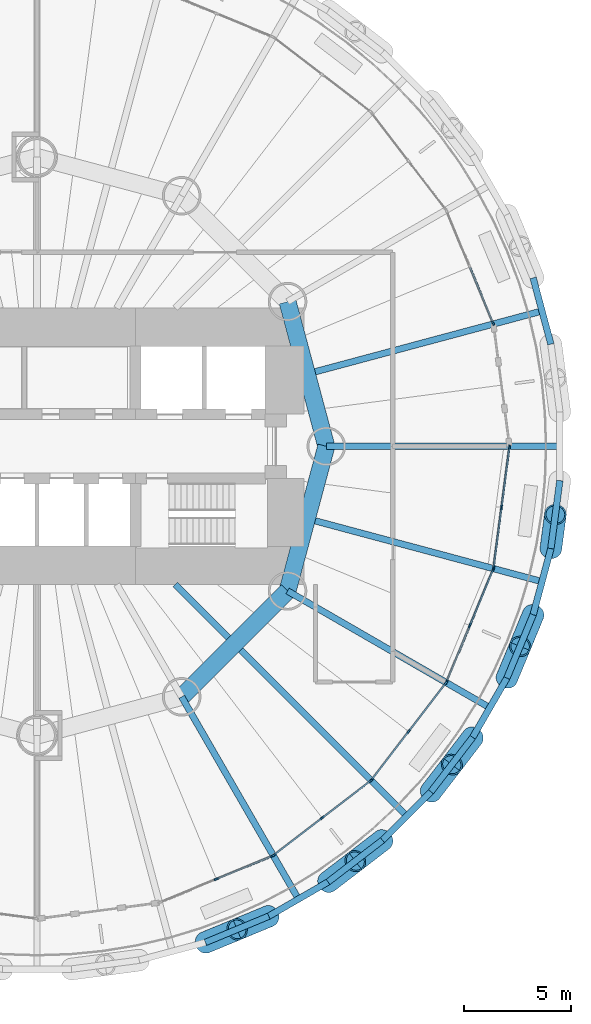
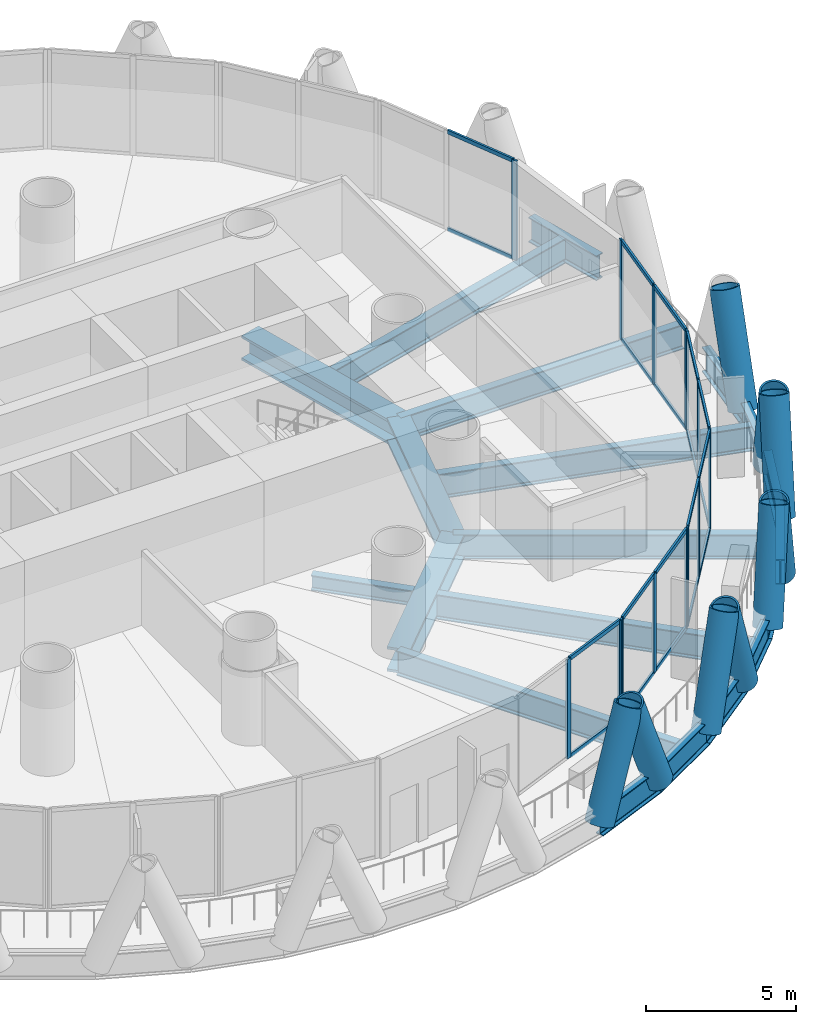
# One storey, part 4 of 16: 44 members, 20 beams, 6 elements without a shape of their own.
"""IFC4 building model written with IfcOpenShell, lengths in metres."""

from ifc_helpers import new_model, si_unit, direction, frame, origin, origin_2d, place, context, subcontext, project, spatial, rectangle, hollow_circle, i_section, extrude, material, material_profile, profile_set, type_object, element, aggregate, save


model = new_model("IFC4")

# Units and contexts
model_context = context("Model", 3, precision=1e-05, world=origin(), true_north=direction((0.0, 1.0)))
body_context = subcontext(model_context, "Body", "Model", "MODEL_VIEW")
ifc_project = project(units=[si_unit("LENGTHUNIT", "METRE"), si_unit("AREAUNIT", "SQUARE_METRE"), si_unit("VOLUMEUNIT", "CUBIC_METRE"), si_unit("PLANEANGLEUNIT", "RADIAN"), si_unit("MASSUNIT", "GRAM", prefix="KILO")], contexts=[model_context])

# Site, building, storey
site_placement = place(None, origin())
site = spatial("IfcSite", under=ifc_project, at=site_placement, CompositionType="ELEMENT")
building_placement = place(site_placement, origin())
building = spatial("IfcBuilding", under=site, at=building_placement, Name="Qaws Media Tower", CompositionType="ELEMENT")
storey_placement = place(building_placement, frame((0.0, 0.0, 181.39990234375)))
storey = spatial("IfcBuildingStorey", under=building, at=storey_placement, Name="L41", CompositionType="ELEMENT", Elevation=181.39990234375)

# Curtain wall, member
ifc_material_1 = material(Name="Aluminium and clear glass", Category="aluminium")
curtain_wall_type = type_object("IfcCurtainWallType", Name="Unitised curtain wall CW-B", PredefinedType="NOTDEFINED", material=ifc_material_1)
curtain_wall_1_placement = place(storey_placement, origin())
curtain_wall_1 = element("IfcCurtainWall", 1, at=curtain_wall_1_placement, inside=storey, type_object=curtain_wall_type, Name="CWB curtain wall L41-02", PredefinedType="NOTDEFINED")
ifc_material_2 = material(Name="Aluminium mullion", Category="aluminium")
ifc_material_profile_1 = material_profile(ifc_material_2, rectangle(XDim=0.080078125, YDim=0.199951171875, at=origin_2d()), Name="80x200")
ifc_profile_set_1 = profile_set([ifc_material_profile_1], Name="Aluminium mullion")
member_type_1 = type_object("IfcMemberType", Name="Curtain wall mullion 80x200", PredefinedType="MULLION", material=ifc_profile_set_1)
member_1_placement = place(storey_placement, frame((81.283447265625, 55.743896484375, 0.0), z_axis=(0.0, 0.0, 1.0), x_axis=(-0.923879550525, -0.382683388877, 0.0)))
member_1 = element("IfcMember", 2, at=member_1_placement, type_object=member_type_1, Name="CWB mullion 1", PredefinedType="MULLION", context=body_context, shape_type="SweptSolid", body=[
    extrude(rectangle(XDim=0.080078125, YDim=0.199951171875, at=origin_2d()), origin(), (0.0, 0.0, 1.0), 4.0400390625),
])

# Curtain wall, members
curtain_wall_2_placement = place(storey_placement, origin())
curtain_wall_2 = element("IfcCurtainWall", 3, at=curtain_wall_2_placement, inside=storey, type_object=curtain_wall_type, Name="CWB curtain wall L41-20", PredefinedType="NOTDEFINED")
member_2_placement = place(storey_placement, frame((68.365966796875, 29.802734375, 0.0), z_axis=(0.0, 0.0, 1.0), x_axis=(-0.382683388877, 0.923879550525, 0.0)))
member_2 = element("IfcMember", 4, at=member_2_placement, type_object=member_type_1, Name="CWB mullion 2", PredefinedType="MULLION", context=body_context, shape_type="SweptSolid", body=[
    extrude(rectangle(XDim=0.080078125, YDim=0.199951171875, at=origin_2d()), origin(), (0.0, 0.0, 1.0), 4.0400390625),
])
member_3_placement = place(storey_placement, frame((70.988037109375, 30.888916015625, 0.0), z_axis=(0.0, 0.0, 1.0), x_axis=(-0.382683388877, 0.923879550525, 0.0)))
member_3 = element("IfcMember", 5, at=member_3_placement, type_object=member_type_1, Name="CWB mullion 3", PredefinedType="MULLION", context=body_context, shape_type="SweptSolid", body=[
    extrude(rectangle(XDim=0.080078125, YDim=0.199951171875, at=origin_2d()), origin(), (0.0, 0.0, 1.0), 4.0400390625),
])

curtain_wall_3_placement = place(storey_placement, origin())
curtain_wall_3 = element("IfcCurtainWall", 6, at=curtain_wall_3_placement, inside=storey, type_object=curtain_wall_type, Name="CWB curtain wall L41-21", PredefinedType="NOTDEFINED")
member_4_placement = place(storey_placement, frame((71.056640625, 30.928466796875, 0.0), z_axis=(0.0, 0.0, 1.0), x_axis=(-0.608761320465, 0.79335342358, 0.0)))
member_4 = element("IfcMember", 7, at=member_4_placement, type_object=member_type_1, Name="CWB mullion 1", PredefinedType="MULLION", context=body_context, shape_type="SweptSolid", body=[
    extrude(rectangle(XDim=0.080078125, YDim=0.199951171875, at=origin_2d()), origin(), (0.0, 0.0, 1.0), 4.0400390625),
])
member_5_placement = place(storey_placement, frame((73.308349609375, 32.65625, 0.0), z_axis=(0.0, 0.0, 1.0), x_axis=(-0.608761320465, 0.79335342358, 0.0)))
member_5 = element("IfcMember", 8, at=member_5_placement, type_object=member_type_1, Name="CWB mullion 2", PredefinedType="MULLION", context=body_context, shape_type="SweptSolid", body=[
    extrude(rectangle(XDim=0.080078125, YDim=0.199951171875, at=origin_2d()), origin(), (0.0, 0.0, 1.0), 4.0400390625),
])
member_6_placement = place(storey_placement, frame((75.56005859375, 34.384033203125, 0.0), z_axis=(0.0, 0.0, 1.0), x_axis=(-0.608761320465, 0.79335342358, 0.0)))
member_6 = element("IfcMember", 9, at=member_6_placement, type_object=member_type_1, Name="CWB mullion 3", PredefinedType="MULLION", context=body_context, shape_type="SweptSolid", body=[
    extrude(rectangle(XDim=0.080078125, YDim=0.199951171875, at=origin_2d()), origin(), (0.0, 0.0, 1.0), 4.0400390625),
])

curtain_wall_4_placement = place(storey_placement, origin())
curtain_wall_4 = element("IfcCurtainWall", 10, at=curtain_wall_4_placement, inside=storey, type_object=curtain_wall_type, Name="CWB curtain wall L41-22", PredefinedType="NOTDEFINED")
member_7_placement = place(storey_placement, frame((75.615966796875, 34.43994140625, 0.0), z_axis=(0.0, 0.0, 1.0), x_axis=(-0.79335342358, 0.608761320465, 0.0)))
member_7 = element("IfcMember", 11, at=member_7_placement, type_object=member_type_1, Name="CWB mullion 1", PredefinedType="MULLION", context=body_context, shape_type="SweptSolid", body=[
    extrude(rectangle(XDim=0.080078125, YDim=0.199951171875, at=origin_2d()), origin(), (0.0, 0.0, 1.0), 4.0400390625),
])
member_8_placement = place(storey_placement, frame((77.34375, 36.691650390625, 0.0), z_axis=(0.0, 0.0, 1.0), x_axis=(-0.79335342358, 0.608761320465, 0.0)))
member_8 = element("IfcMember", 12, at=member_8_placement, type_object=member_type_1, Name="CWB mullion 2", PredefinedType="MULLION", context=body_context, shape_type="SweptSolid", body=[
    extrude(rectangle(XDim=0.080078125, YDim=0.199951171875, at=origin_2d()), origin(), (0.0, 0.0, 1.0), 4.0400390625),
])
member_9_placement = place(storey_placement, frame((79.071533203125, 38.943359375, 0.0), z_axis=(0.0, 0.0, 1.0), x_axis=(-0.79335342358, 0.608761320465, 0.0)))
member_9 = element("IfcMember", 13, at=member_9_placement, type_object=member_type_1, Name="CWB mullion 3", PredefinedType="MULLION", context=body_context, shape_type="SweptSolid", body=[
    extrude(rectangle(XDim=0.080078125, YDim=0.199951171875, at=origin_2d()), origin(), (0.0, 0.0, 1.0), 4.0400390625),
])

curtain_wall_5_placement = place(storey_placement, origin())
curtain_wall_5 = element("IfcCurtainWall", 14, at=curtain_wall_5_placement, inside=storey, type_object=curtain_wall_type, Name="CWB curtain wall L41-23", PredefinedType="NOTDEFINED")
member_10_placement = place(storey_placement, frame((79.111083984375, 39.011962890625, 0.0), z_axis=(0.0, 0.0, 1.0), x_axis=(-0.923879550525, 0.382683388877, 0.0)))
member_10 = element("IfcMember", 15, at=member_10_placement, type_object=member_type_1, Name="CWB mullion 1", PredefinedType="MULLION", context=body_context, shape_type="SweptSolid", body=[
    extrude(rectangle(XDim=0.080078125, YDim=0.199951171875, at=origin_2d()), origin(), (0.0, 0.0, 1.0), 4.0400390625),
])
member_11_placement = place(storey_placement, frame((80.197265625, 41.634033203125, 0.0), z_axis=(0.0, 0.0, 1.0), x_axis=(-0.923879550525, 0.382683388877, 0.0)))
member_11 = element("IfcMember", 16, at=member_11_placement, type_object=member_type_1, Name="CWB mullion 2", PredefinedType="MULLION", context=body_context, shape_type="SweptSolid", body=[
    extrude(rectangle(XDim=0.080078125, YDim=0.199951171875, at=origin_2d()), origin(), (0.0, 0.0, 1.0), 4.0400390625),
])
member_12_placement = place(storey_placement, frame((81.283447265625, 44.256103515625, 0.0), z_axis=(0.0, 0.0, 1.0), x_axis=(-0.923879550525, 0.382683388877, 0.0)))
member_12 = element("IfcMember", 17, at=member_12_placement, type_object=member_type_1, Name="CWB mullion 3", PredefinedType="MULLION", context=body_context, shape_type="SweptSolid", body=[
    extrude(rectangle(XDim=0.080078125, YDim=0.199951171875, at=origin_2d()), origin(), (0.0, 0.0, 1.0), 4.0400390625),
])

curtain_wall_6_placement = place(storey_placement, origin())
curtain_wall_6 = element("IfcCurtainWall", 18, at=curtain_wall_6_placement, inside=storey, type_object=curtain_wall_type, Name="CWB curtain wall L41-24", PredefinedType="NOTDEFINED")
member_13_placement = place(storey_placement, frame((81.303955078125, 44.332763671875, 0.0), z_axis=(0.0, 0.0, 1.0), x_axis=(-0.991444850979, 0.130526271178, 0.0)))
member_13 = element("IfcMember", 19, at=member_13_placement, type_object=member_type_1, Name="CWB mullion 1", PredefinedType="MULLION", context=body_context, shape_type="SweptSolid", body=[
    extrude(rectangle(XDim=0.080078125, YDim=0.199951171875, at=origin_2d()), origin(), (0.0, 0.0, 1.0), 4.0400390625),
])
member_14_placement = place(storey_placement, frame((81.67431640625, 47.146484375, 0.0), z_axis=(0.0, 0.0, 1.0), x_axis=(-0.991444850979, 0.130526271178, 0.0)))
member_14 = element("IfcMember", 20, at=member_14_placement, type_object=member_type_1, Name="CWB mullion 2", PredefinedType="MULLION", context=body_context, shape_type="SweptSolid", body=[
    extrude(rectangle(XDim=0.080078125, YDim=0.199951171875, at=origin_2d()), origin(), (0.0, 0.0, 1.0), 4.0400390625),
])
member_15_placement = place(storey_placement, frame((82.044677734375, 49.96044921875, 0.0), z_axis=(0.0, 0.0, 1.0), x_axis=(-0.991444850979, 0.130526271178, 0.0)))
member_15 = element("IfcMember", 21, at=member_15_placement, type_object=member_type_1, Name="CWB mullion 3", PredefinedType="MULLION", context=body_context, shape_type="SweptSolid", body=[
    extrude(rectangle(XDim=0.080078125, YDim=0.199951171875, at=origin_2d()), origin(), (0.0, 0.0, 1.0), 4.0400390625),
])

# Member
ifc_material_3 = material(Name="Aluminium transom", Category="aluminium")
ifc_material_profile_2 = material_profile(ifc_material_3, rectangle(XDim=0.080078125, YDim=0.159912109375, at=origin_2d()), Name="80x160")
ifc_profile_set_2 = profile_set([ifc_material_profile_2], Name="Aluminium transom")
member_type_2 = type_object("IfcMemberType", Name="Curtain wall transom 80x160", PredefinedType="USERDEFINED", material=ifc_profile_set_2)
member_16_placement = place(storey_placement, frame((81.26806640625, 55.78076171875, 0.0400390625), z_axis=(-0.382641035771, 0.923897092616, 0.0), x_axis=(-0.923897092616, -0.382641035771, 0.0)))
member_16 = element("IfcMember", 22, at=member_16_placement, type_object=member_type_2, Name="CWB transom 1.1", ObjectType="TRANSOM", PredefinedType="USERDEFINED", context=body_context, shape_type="SweptSolid", body=[
    extrude(rectangle(XDim=0.080078125, YDim=0.159912109375, at=origin_2d()), origin(), (0.0, 0.0, 1.0), 2.75830078125),
])

member_17_placement = place(storey_placement, frame((81.26806640625, 55.78076171875, 4.0), z_axis=(-0.382641035771, 0.923897092616, 0.0), x_axis=(-0.923897092616, -0.382641035771, 0.0)))
member_17 = element("IfcMember", 23, at=member_17_placement, type_object=member_type_2, Name="CWB transom 1.2", ObjectType="TRANSOM", PredefinedType="USERDEFINED", context=body_context, shape_type="SweptSolid", body=[
    extrude(rectangle(XDim=0.080078125, YDim=0.159912109375, at=origin_2d()), origin(), (0.0, 0.0, 1.0), 2.75830078125),
])

aggregate(curtain_wall_1, [member_1, member_16, member_17])

member_18_placement = place(storey_placement, frame((68.40283203125, 29.818115234375, 0.0400390625), z_axis=(0.923897092616, 0.382641035771, 0.0), x_axis=(-0.382641035771, 0.923897092616, 0.0)))
member_18 = element("IfcMember", 24, at=member_18_placement, type_object=member_type_2, Name="CWB transom 2.1", ObjectType="TRANSOM", PredefinedType="USERDEFINED", context=body_context, shape_type="SweptSolid", body=[
    extrude(rectangle(XDim=0.080078125, YDim=0.159912109375, at=origin_2d()), origin(), (0.0, 0.0, 1.0), 2.75830078125),
])

member_19_placement = place(storey_placement, frame((68.40283203125, 29.818115234375, 4.0), z_axis=(0.923897092616, 0.382641035771, 0.0), x_axis=(-0.382641035771, 0.923897092616, 0.0)))
member_19 = element("IfcMember", 25, at=member_19_placement, type_object=member_type_2, Name="CWB transom 2.2", ObjectType="TRANSOM", PredefinedType="USERDEFINED", context=body_context, shape_type="SweptSolid", body=[
    extrude(rectangle(XDim=0.080078125, YDim=0.159912109375, at=origin_2d()), origin(), (0.0, 0.0, 1.0), 2.75830078125),
])

aggregate(curtain_wall_2, [member_2, member_3, member_18, member_19])

member_20_placement = place(storey_placement, frame((71.08837890625, 30.952880859375, 0.0400390625), z_axis=(0.793376929066, 0.608730686286, 0.0), x_axis=(-0.608730686286, 0.793376929066, 0.0)))
member_20 = element("IfcMember", 26, at=member_20_placement, type_object=member_type_2, Name="CWB transom 1.1", ObjectType="TRANSOM", PredefinedType="USERDEFINED", context=body_context, shape_type="SweptSolid", body=[
    extrude(rectangle(XDim=0.080078125, YDim=0.159912109375, at=origin_2d()), origin(), (0.0, 0.0, 1.0), 2.758056640625),
])

member_21_placement = place(storey_placement, frame((71.08837890625, 30.952880859375, 4.0), z_axis=(0.793376929066, 0.608730686286, 0.0), x_axis=(-0.608730686286, 0.793376929066, 0.0)))
member_21 = element("IfcMember", 27, at=member_21_placement, type_object=member_type_2, Name="CWB transom 1.2", ObjectType="TRANSOM", PredefinedType="USERDEFINED", context=body_context, shape_type="SweptSolid", body=[
    extrude(rectangle(XDim=0.080078125, YDim=0.159912109375, at=origin_2d()), origin(), (0.0, 0.0, 1.0), 2.758056640625),
])

member_22_placement = place(storey_placement, frame((73.340087890625, 32.6806640625, 0.0400390625), z_axis=(0.793376929066, 0.608730686286, 0.0), x_axis=(-0.608730686286, 0.793376929066, 0.0)))
member_22 = element("IfcMember", 28, at=member_22_placement, type_object=member_type_2, Name="CWB transom 2.1", ObjectType="TRANSOM", PredefinedType="USERDEFINED", context=body_context, shape_type="SweptSolid", body=[
    extrude(rectangle(XDim=0.080078125, YDim=0.159912109375, at=origin_2d()), origin(), (0.0, 0.0, 1.0), 2.758056640625),
])

member_23_placement = place(storey_placement, frame((73.340087890625, 32.6806640625, 4.0), z_axis=(0.793376929066, 0.608730686286, 0.0), x_axis=(-0.608730686286, 0.793376929066, 0.0)))
member_23 = element("IfcMember", 29, at=member_23_placement, type_object=member_type_2, Name="CWB transom 2.2", ObjectType="TRANSOM", PredefinedType="USERDEFINED", context=body_context, shape_type="SweptSolid", body=[
    extrude(rectangle(XDim=0.080078125, YDim=0.159912109375, at=origin_2d()), origin(), (0.0, 0.0, 1.0), 2.758056640625),
])

aggregate(curtain_wall_3, [member_4, member_5, member_6, member_20, member_21, member_22, member_23])

member_24_placement = place(storey_placement, frame((75.640380859375, 34.4716796875, 0.0400390625), z_axis=(0.608730686286, 0.793376929066, 0.0), x_axis=(-0.793376929066, 0.608730686286, 0.0)))
member_24 = element("IfcMember", 30, at=member_24_placement, type_object=member_type_2, Name="CWB transom 1.1", ObjectType="TRANSOM", PredefinedType="USERDEFINED", context=body_context, shape_type="SweptSolid", body=[
    extrude(rectangle(XDim=0.080078125, YDim=0.159912109375, at=origin_2d()), origin(), (0.0, 0.0, 1.0), 2.758056640625),
])

member_25_placement = place(storey_placement, frame((75.640380859375, 34.4716796875, 4.0), z_axis=(0.608730686286, 0.793376929066, 0.0), x_axis=(-0.793376929066, 0.608730686286, 0.0)))
member_25 = element("IfcMember", 31, at=member_25_placement, type_object=member_type_2, Name="CWB transom 1.2", ObjectType="TRANSOM", PredefinedType="USERDEFINED", context=body_context, shape_type="SweptSolid", body=[
    extrude(rectangle(XDim=0.080078125, YDim=0.159912109375, at=origin_2d()), origin(), (0.0, 0.0, 1.0), 2.758056640625),
])

member_26_placement = place(storey_placement, frame((77.3681640625, 36.723388671875, 0.0400390625), z_axis=(0.608730686286, 0.793376929066, 0.0), x_axis=(-0.793376929066, 0.608730686286, 0.0)))
member_26 = element("IfcMember", 32, at=member_26_placement, type_object=member_type_2, Name="CWB transom 2.1", ObjectType="TRANSOM", PredefinedType="USERDEFINED", context=body_context, shape_type="SweptSolid", body=[
    extrude(rectangle(XDim=0.080078125, YDim=0.159912109375, at=origin_2d()), origin(), (0.0, 0.0, 1.0), 2.758056640625),
])

member_27_placement = place(storey_placement, frame((77.3681640625, 36.723388671875, 4.0), z_axis=(0.608730686286, 0.793376929066, 0.0), x_axis=(-0.793376929066, 0.608730686286, 0.0)))
member_27 = element("IfcMember", 33, at=member_27_placement, type_object=member_type_2, Name="CWB transom 2.2", ObjectType="TRANSOM", PredefinedType="USERDEFINED", context=body_context, shape_type="SweptSolid", body=[
    extrude(rectangle(XDim=0.080078125, YDim=0.159912109375, at=origin_2d()), origin(), (0.0, 0.0, 1.0), 2.758056640625),
])

aggregate(curtain_wall_4, [member_7, member_8, member_9, member_24, member_25, member_26, member_27])

member_28_placement = place(storey_placement, frame((79.12646484375, 39.048828125, 0.0400390625), z_axis=(0.382641035771, 0.923897092616, 0.0), x_axis=(-0.923897092616, 0.382641035771, 0.0)))
member_28 = element("IfcMember", 34, at=member_28_placement, type_object=member_type_2, Name="CWB transom 1.1", ObjectType="TRANSOM", PredefinedType="USERDEFINED", context=body_context, shape_type="SweptSolid", body=[
    extrude(rectangle(XDim=0.080078125, YDim=0.159912109375, at=origin_2d()), origin(), (0.0, 0.0, 1.0), 2.75830078125),
])

member_29_placement = place(storey_placement, frame((79.12646484375, 39.048828125, 4.0), z_axis=(0.382641035771, 0.923897092616, 0.0), x_axis=(-0.923897092616, 0.382641035771, 0.0)))
member_29 = element("IfcMember", 35, at=member_29_placement, type_object=member_type_2, Name="CWB transom 1.2", ObjectType="TRANSOM", PredefinedType="USERDEFINED", context=body_context, shape_type="SweptSolid", body=[
    extrude(rectangle(XDim=0.080078125, YDim=0.159912109375, at=origin_2d()), origin(), (0.0, 0.0, 1.0), 2.75830078125),
])

member_30_placement = place(storey_placement, frame((80.212646484375, 41.6708984375, 0.0400390625), z_axis=(0.382641035771, 0.923897092616, 0.0), x_axis=(-0.923897092616, 0.382641035771, 0.0)))
member_30 = element("IfcMember", 36, at=member_30_placement, type_object=member_type_2, Name="CWB transom 2.1", ObjectType="TRANSOM", PredefinedType="USERDEFINED", context=body_context, shape_type="SweptSolid", body=[
    extrude(rectangle(XDim=0.080078125, YDim=0.159912109375, at=origin_2d()), origin(), (0.0, 0.0, 1.0), 2.75830078125),
])

member_31_placement = place(storey_placement, frame((80.212646484375, 41.6708984375, 4.0), z_axis=(0.382641035771, 0.923897092616, 0.0), x_axis=(-0.923897092616, 0.382641035771, 0.0)))
member_31 = element("IfcMember", 37, at=member_31_placement, type_object=member_type_2, Name="CWB transom 2.2", ObjectType="TRANSOM", PredefinedType="USERDEFINED", context=body_context, shape_type="SweptSolid", body=[
    extrude(rectangle(XDim=0.080078125, YDim=0.159912109375, at=origin_2d()), origin(), (0.0, 0.0, 1.0), 2.75830078125),
])

aggregate(curtain_wall_5, [member_10, member_11, member_12, member_28, member_29, member_30, member_31])

member_32_placement = place(storey_placement, frame((81.30908203125, 44.372314453125, 0.0400390625), z_axis=(0.130557546748, 0.991440732967, 0.0), x_axis=(-0.991440732967, 0.130557546748, 0.0)))
member_32 = element("IfcMember", 38, at=member_32_placement, type_object=member_type_2, Name="CWB transom 1.1", ObjectType="TRANSOM", PredefinedType="USERDEFINED", context=body_context, shape_type="SweptSolid", body=[
    extrude(rectangle(XDim=0.080078125, YDim=0.159912109375, at=origin_2d()), origin(), (0.0, 0.0, 1.0), 2.75830078125),
])

member_33_placement = place(storey_placement, frame((81.30908203125, 44.372314453125, 4.0), z_axis=(0.130557546748, 0.991440732967, 0.0), x_axis=(-0.991440732967, 0.130557546748, 0.0)))
member_33 = element("IfcMember", 39, at=member_33_placement, type_object=member_type_2, Name="CWB transom 1.2", ObjectType="TRANSOM", PredefinedType="USERDEFINED", context=body_context, shape_type="SweptSolid", body=[
    extrude(rectangle(XDim=0.080078125, YDim=0.159912109375, at=origin_2d()), origin(), (0.0, 0.0, 1.0), 2.75830078125),
])

member_34_placement = place(storey_placement, frame((81.679443359375, 47.186279296875, 0.0400390625), z_axis=(0.13056900495, 0.991439224031, 0.0), x_axis=(-0.991439224031, 0.13056900495, 0.0)))
member_34 = element("IfcMember", 40, at=member_34_placement, type_object=member_type_2, Name="CWB transom 2.1", ObjectType="TRANSOM", PredefinedType="USERDEFINED", context=body_context, shape_type="SweptSolid", body=[
    extrude(rectangle(XDim=0.080078125, YDim=0.159912109375, at=origin_2d()), origin(), (0.0, 0.0, 1.0), 2.758056640625),
])

member_35_placement = place(storey_placement, frame((81.679443359375, 47.186279296875, 4.0), z_axis=(0.13056900495, 0.991439224031, 0.0), x_axis=(-0.991439224031, 0.13056900495, 0.0)))
member_35 = element("IfcMember", 41, at=member_35_placement, type_object=member_type_2, Name="CWB transom 2.2", ObjectType="TRANSOM", PredefinedType="USERDEFINED", context=body_context, shape_type="SweptSolid", body=[
    extrude(rectangle(XDim=0.080078125, YDim=0.159912109375, at=origin_2d()), origin(), (0.0, 0.0, 1.0), 2.758056640625),
])

aggregate(curtain_wall_6, [member_13, member_14, member_15, member_32, member_33, member_34, member_35])

# Members
ifc_material_4 = material(Name="Steel S460", Category="steel")
ifc_material_profile_3 = material_profile(ifc_material_4, hollow_circle(Radius=0.508056640625, WallThickness=0.070068359375, at=origin_2d()), Name="CHS 1016x70")
ifc_profile_set_3 = profile_set([ifc_material_profile_3], Name="Steel S460")
member_type_3 = type_object("IfcMemberType", Name="Diagrid member CHS 1016x70", PredefinedType="USERDEFINED", material=ifc_profile_set_3)
for number, where, z_axis, x_axis, name in (
    (42, (67.859130859375, 26.84765625, -0.663818359375), (0.346608267327, 0.142936555494, 0.927055473057), (-0.3812412175, 0.924475599504, 0.0), "DG3 diagrid L41 A20"),
    (43, (73.583740234375, 29.670654296875, -0.663818359375), (0.29778205683, 0.22777293428, 0.927062747089), (-0.60754645004, 0.794284150065, 0.0), "DG3 diagrid L41 A21"),
):
    element("IfcMember", number, at=place(storey_placement, frame(where, z_axis=z_axis, x_axis=x_axis)), inside=storey, type_object=member_type_3, Name=name, ObjectType="DIAGRID", PredefinedType="USERDEFINED", context=body_context, shape_type="SweptSolid", body=[
        extrude(hollow_circle(Radius=0.508056640625, WallThickness=0.070068359375, at=origin_2d()), origin(), (0.0, 0.0, 1.0), 4.264892578125),
    ])
for number, where, z_axis, x_axis, name in (
    (44, (70.81396484375, 28.071533203125, -0.663818359375), (-0.346201593662, -0.144021694718, 0.927039485673), (0.384095011554, -0.923293573084, 0.0), "DG3 diagrid L41 B21"),
    (45, (78.382568359375, 33.87890625, -0.663818359375), (0.2286838659, 0.297145919371, 0.92704260532), (-0.792482086019, 0.609895190454, 0.0), "DG3 diagrid L41 A22"),
    (46, (76.12109375, 31.617431640625, -0.663818359375), (-0.297145919371, -0.2286838659, 0.92704260532), (0.609895190454, -0.792482086019, 0.0), "DG3 diagrid L41 B22"),
    (47, (81.928466796875, 39.18603515625, -0.663818359375), (0.144021694718, 0.346201593662, 0.927039485673), (-0.923293573084, 0.384095011554, 0.0), "DG3 diagrid L41 A23"),
):
    element("IfcMember", number, at=place(storey_placement, frame(where, z_axis=z_axis, x_axis=x_axis)), inside=storey, type_object=member_type_3, Name=name, ObjectType="DIAGRID", PredefinedType="USERDEFINED", context=body_context, shape_type="SweptSolid", body=[
        extrude(hollow_circle(Radius=0.508056640625, WallThickness=0.070068359375, at=origin_2d()), origin(), (0.0, 0.0, 1.0), 4.26513671875),
    ])
member_36_placement = place(storey_placement, frame((80.329345703125, 36.416259765625, -0.663818359375), z_axis=(-0.22777293428, -0.29778205683, 0.927062747089), x_axis=(0.794284150065, -0.60754645004, 0.0)))
element("IfcMember", 48, at=member_36_placement, inside=storey, type_object=member_type_3, Name="DG3 diagrid L41 B23", ObjectType="DIAGRID", PredefinedType="USERDEFINED", context=body_context, shape_type="SweptSolid", body=[
    extrude(hollow_circle(Radius=0.508056640625, WallThickness=0.070068359375, at=origin_2d()), origin(), (0.0, 0.0, 1.0), 4.264892578125),
])
member_37_placement = place(storey_placement, frame((83.980224609375, 45.22998046875, -0.663818359375), z_axis=(0.049457614825, 0.371676265111, 0.927044064912), x_axis=(-0.991262533176, 0.131903716104, 0.0)))
element("IfcMember", 49, at=member_37_placement, inside=storey, type_object=member_type_3, Name="DG3 diagrid L41 A24", ObjectType="DIAGRID", PredefinedType="USERDEFINED", context=body_context, shape_type="SweptSolid", body=[
    extrude(hollow_circle(Radius=0.508056640625, WallThickness=0.070068359375, at=origin_2d()), origin(), (0.0, 0.0, 1.0), 4.26513671875),
])
member_38_placement = place(storey_placement, frame((83.15234375, 42.140869140625, -0.663818359375), z_axis=(-0.142936555494, -0.346608267327, 0.927055473057), x_axis=(0.924475599504, -0.3812412175, 0.0)))
element("IfcMember", 50, at=member_38_placement, inside=storey, type_object=member_type_3, Name="DG3 diagrid L41 B24", ObjectType="DIAGRID", PredefinedType="USERDEFINED", context=body_context, shape_type="SweptSolid", body=[
    extrude(hollow_circle(Radius=0.508056640625, WallThickness=0.070068359375, at=origin_2d()), origin(), (0.0, 0.0, 1.0), 4.264892578125),
])

# Beams
ifc_material_5 = material(Name="Steel S460", Category="steel")
ifc_material_profile_4 = material_profile(ifc_material_5, i_section(OverallWidth=0.302001953125, OverallDepth=1.008056640625, WebThickness=0.02099609375, FlangeThickness=0.0400390625, FilletRadius=0.030029296875, at=origin_2d()), Name="HE 1000 M")
ifc_profile_set_4 = profile_set([ifc_material_profile_4], Name="Steel S460")
beam_type_1 = type_object("IfcBeamType", Name="Edge ring beam HE 1000 M", PredefinedType="BEAM", material=ifc_profile_set_4)
for number, where, z_axis, x_axis, name in (
    (51, (83.980224609375, 54.77001953125, -0.663818359375), (-0.258864548189, 0.965913632625, 0.0), (-0.965913632625, -0.258864548189, 0.0), "RB3 edge ring beam L41-02"),
    (52, (67.859130859375, 26.84765625, -0.663818359375), (0.923885651932, 0.382668658443, 0.0), (-0.382668658443, 0.923885651932, 0.0), "RB3 edge ring beam L41-39"),
    (53, (70.81396484375, 28.071533203125, -0.663818359375), (0.866026686418, 0.499997778408, 0.0), (-0.499997778408, 0.866026686418, 0.0), "RB3 edge ring beam L41-40"),
    (54, (73.583740234375, 29.670654296875, -0.663818359375), (0.793383917565, 0.608721577857, 0.0), (-0.608721577857, 0.793383917565, 0.0), "RB3 edge ring beam L41-41"),
    (55, (76.12109375, 31.617431640625, -0.663818359375), (0.707106781187, 0.707106781187, 0.0), (-0.707106781187, 0.707106781187, 0.0), "RB3 edge ring beam L41-42"),
    (56, (78.382568359375, 33.87890625, -0.663818359375), (0.608721577857, 0.793383917565, 0.0), (-0.793383917565, 0.608721577857, 0.0), "RB3 edge ring beam L41-43"),
    (57, (80.329345703125, 36.416259765625, -0.663818359375), (0.499997778408, 0.866026686418, 0.0), (-0.866026686418, 0.499997778408, 0.0), "RB3 edge ring beam L41-44"),
    (58, (81.928466796875, 39.18603515625, -0.663818359375), (0.382668658443, 0.923885651932, 0.0), (-0.923885651932, 0.382668658443, 0.0), "RB3 edge ring beam L41-45"),
    (59, (83.15234375, 42.140869140625, -0.663818359375), (0.258864548189, 0.965913632625, 0.0), (-0.965913632625, 0.258864548189, 0.0), "RB3 edge ring beam L41-46"),
    (60, (83.980224609375, 45.22998046875, -0.663818359375), (0.130533497709, 0.991443899561, 0.0), (-0.991443899561, 0.130533497709, 0.0), "RB3 edge ring beam L41-47"),
):
    element("IfcBeam", number, at=place(storey_placement, frame(where, z_axis=z_axis, x_axis=x_axis)), inside=storey, type_object=beam_type_1, Name=name, PredefinedType="BEAM", context=body_context, shape_type="SweptSolid", body=[
        extrude(i_section(OverallWidth=0.302001953125, OverallDepth=1.008056640625, WebThickness=0.02099609375, FlangeThickness=0.0400390625, FilletRadius=0.030029296875, at=origin_2d()), origin(), (0.0, 0.0, 1.0), 3.1982421875),
    ])
ifc_material_6 = material(Name="Steel S460", Category="steel")
ifc_material_profile_5 = material_profile(ifc_material_6, i_section(OverallWidth=0.800048828125, OverallDepth=1.0, WebThickness=0.0400390625, FlangeThickness=0.10009765625, at=origin_2d()), Name="PG 1000x800")
ifc_profile_set_5 = profile_set([ifc_material_profile_5], Name="Steel S460")
beam_type_2 = type_object("IfcBeamType", Name="Inner ring girder PG 1000x800", PredefinedType="BEAM", material=ifc_profile_set_5)
beam_1_placement = place(storey_placement, frame((73.5, 50.0, -0.659912109375), z_axis=(-0.258810593767, 0.965928090778, 0.0), x_axis=(-0.965928090778, -0.258810593767, 0.0)))
element("IfcBeam", 61, at=beam_1_placement, inside=storey, type_object=beam_type_2, Name="B3 inner ring beam L41 I01-I02", PredefinedType="BEAM", context=body_context, shape_type="SweptSolid", body=[
    extrude(i_section(OverallWidth=0.800048828125, OverallDepth=1.0, WebThickness=0.0400390625, FlangeThickness=0.10009765625, at=origin_2d()), origin(), (0.0, 0.0, 1.0), 6.988037109375),
])
beam_2_placement = place(storey_placement, frame((66.75, 38.30859375, -0.659912109375), z_axis=(0.707106781187, 0.707106781187, 0.0), x_axis=(-0.707106781187, 0.707106781187, 0.0)))
element("IfcBeam", 62, at=beam_2_placement, inside=storey, type_object=beam_type_2, Name="B3 inner ring beam L41 I11-I12", PredefinedType="BEAM", context=body_context, shape_type="SweptSolid", body=[
    extrude(i_section(OverallWidth=0.800048828125, OverallDepth=1.0, WebThickness=0.0400390625, FlangeThickness=0.10009765625, at=origin_2d()), origin(), (0.0, 0.0, 1.0), 6.98828125),
])
beam_3_placement = place(storey_placement, frame((71.69140625, 43.25, -0.659912109375), z_axis=(0.258810593767, 0.965928090778, 0.0), x_axis=(-0.965928090778, 0.258810593767, 0.0)))
element("IfcBeam", 63, at=beam_3_placement, inside=storey, type_object=beam_type_2, Name="B3 inner ring beam L41 I12-I01", PredefinedType="BEAM", context=body_context, shape_type="SweptSolid", body=[
    extrude(i_section(OverallWidth=0.800048828125, OverallDepth=1.0, WebThickness=0.0400390625, FlangeThickness=0.10009765625, at=origin_2d()), origin(), (0.0, 0.0, 1.0), 6.988037109375),
])
ifc_material_7 = material(Name="Steel S355", Category="steel")
ifc_material_profile_6 = material_profile(ifc_material_7, i_section(OverallWidth=0.302001953125, OverallDepth=1.008056640625, WebThickness=0.02099609375, FlangeThickness=0.0400390625, FilletRadius=0.030029296875, at=origin_2d()), Name="HE 1000 M")
ifc_profile_set_6 = profile_set([ifc_material_profile_6], Name="Steel S355")
beam_type_3 = type_object("IfcBeamType", Name="Radial beam HE 1000 M", PredefinedType="BEAM", material=ifc_profile_set_6)
beam_4_placement = place(storey_placement, frame((73.5, 50.0, -0.663818359375), z_axis=(1.0, 0.0, 0.0), x_axis=(0.0, 1.0, 0.0)))
element("IfcBeam", 64, at=beam_4_placement, inside=storey, type_object=beam_type_3, Name="B1 radial beam L41 01", PredefinedType="BEAM", context=body_context, shape_type="SweptSolid", body=[
    extrude(i_section(OverallWidth=0.302001953125, OverallDepth=1.008056640625, WebThickness=0.02099609375, FlangeThickness=0.0400390625, FilletRadius=0.030029296875, at=origin_2d()), origin(), (0.0, 0.0, 1.0), 10.897705078125),
])
beam_5_placement = place(storey_placement, frame((72.98193359375, 53.478515625, -0.663818359375), z_axis=(0.965923984208, 0.258825919743, 0.0), x_axis=(-0.258825919743, 0.965923984208, 0.0)))
element("IfcBeam", 65, at=beam_5_placement, inside=storey, type_object=beam_type_3, Name="B1 radial beam L41 02", PredefinedType="BEAM", context=body_context, shape_type="SweptSolid", body=[
    extrude(i_section(OverallWidth=0.302001953125, OverallDepth=1.008056640625, WebThickness=0.02099609375, FlangeThickness=0.0400390625, FilletRadius=0.030029296875, at=origin_2d()), origin(), (0.0, 0.0, 1.0), 10.957763671875),
])
beam_6_placement = place(storey_placement, frame((66.75, 38.30859375, -0.663818359375), z_axis=(0.49999912617, -0.86602590829, 0.0), x_axis=(0.86602590829, 0.49999912617, 0.0)))
element("IfcBeam", 66, at=beam_6_placement, inside=storey, type_object=beam_type_3, Name="B1 radial beam L41 21", PredefinedType="BEAM", context=body_context, shape_type="SweptSolid", body=[
    extrude(i_section(OverallWidth=0.302001953125, OverallDepth=1.008056640625, WebThickness=0.02099609375, FlangeThickness=0.0400390625, FilletRadius=0.030029296875, at=origin_2d()), origin(), (0.0, 0.0, 1.0), 10.8974609375),
])
beam_7_placement = place(storey_placement, frame((69.50341796875, 40.49658203125, -0.663818359375), z_axis=(0.707106781187, -0.707106781187, 0.0), x_axis=(0.707106781187, 0.707106781187, 0.0)))
element("IfcBeam", 67, at=beam_7_placement, inside=storey, type_object=beam_type_3, Name="B1 radial beam L41 22", PredefinedType="BEAM", context=body_context, shape_type="SweptSolid", body=[
    extrude(i_section(OverallWidth=0.302001953125, OverallDepth=1.008056640625, WebThickness=0.02099609375, FlangeThickness=0.0400390625, FilletRadius=0.030029296875, at=origin_2d()), origin(), (0.0, 0.0, 1.0), 10.957763671875),
])
beam_8_placement = place(storey_placement, frame((71.69140625, 43.25, -0.663818359375), z_axis=(0.86602590829, -0.49999912617, 0.0), x_axis=(0.49999912617, 0.86602590829, 0.0)))
element("IfcBeam", 68, at=beam_8_placement, inside=storey, type_object=beam_type_3, Name="B1 radial beam L41 23", PredefinedType="BEAM", context=body_context, shape_type="SweptSolid", body=[
    extrude(i_section(OverallWidth=0.302001953125, OverallDepth=1.008056640625, WebThickness=0.02099609375, FlangeThickness=0.0400390625, FilletRadius=0.030029296875, at=origin_2d()), origin(), (0.0, 0.0, 1.0), 10.8974609375),
])
beam_9_placement = place(storey_placement, frame((72.98193359375, 46.521484375, -0.663818359375), z_axis=(0.965923984208, -0.258825919743, 0.0), x_axis=(0.258825919743, 0.965923984208, 0.0)))
element("IfcBeam", 69, at=beam_9_placement, inside=storey, type_object=beam_type_3, Name="B1 radial beam L41 24", PredefinedType="BEAM", context=body_context, shape_type="SweptSolid", body=[
    extrude(i_section(OverallWidth=0.302001953125, OverallDepth=1.008056640625, WebThickness=0.02099609375, FlangeThickness=0.0400390625, FilletRadius=0.030029296875, at=origin_2d()), origin(), (0.0, 0.0, 1.0), 10.957763671875),
])
ifc_material_8 = material(Name="Steel S355", Category="steel")
ifc_material_profile_7 = material_profile(ifc_material_8, i_section(OverallWidth=0.304931640625, OverallDepth=0.6201171875, WebThickness=0.02099609375, FlangeThickness=0.0400390625, FilletRadius=0.027099609375, at=origin_2d()), Name="HE 600 M")
ifc_profile_set_7 = profile_set([ifc_material_profile_7], Name="Steel S355")
beam_type_4 = type_object("IfcBeamType", Name="Radial beam HE 600 M, core side", PredefinedType="BEAM", material=ifc_profile_set_7)
beam_10_placement = place(storey_placement, frame((66.449951171875, 43.550048828125, -0.469970703125), z_axis=(0.707106781187, -0.707106781187, 0.0), x_axis=(0.707106781187, 0.707106781187, 0.0)))
element("IfcBeam", 70, at=beam_10_placement, inside=storey, type_object=beam_type_4, Name="B2 radial beam L41 22", PredefinedType="BEAM", context=body_context, shape_type="SweptSolid", body=[
    extrude(i_section(OverallWidth=0.304931640625, OverallDepth=0.6201171875, WebThickness=0.02099609375, FlangeThickness=0.0400390625, FilletRadius=0.027099609375, at=origin_2d()), origin(), (0.0, 0.0, 1.0), 3.518310546875),
])

save(model, "model.ifc")
